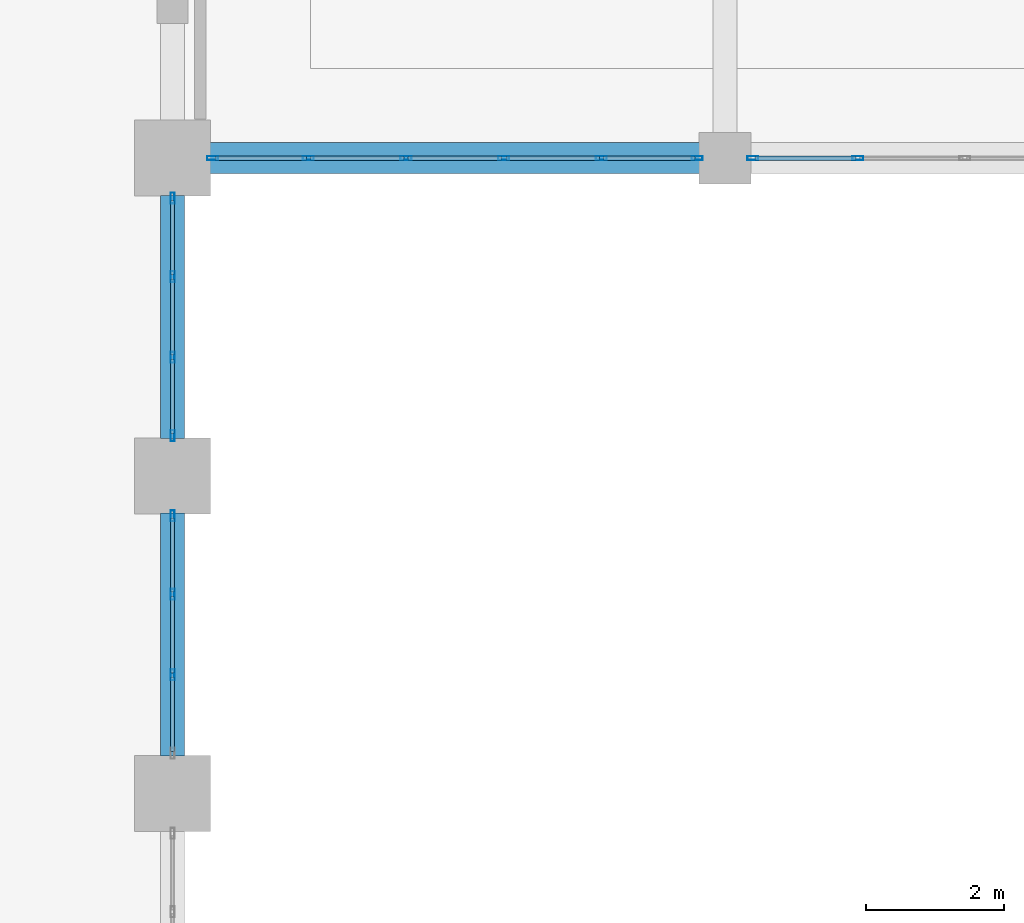
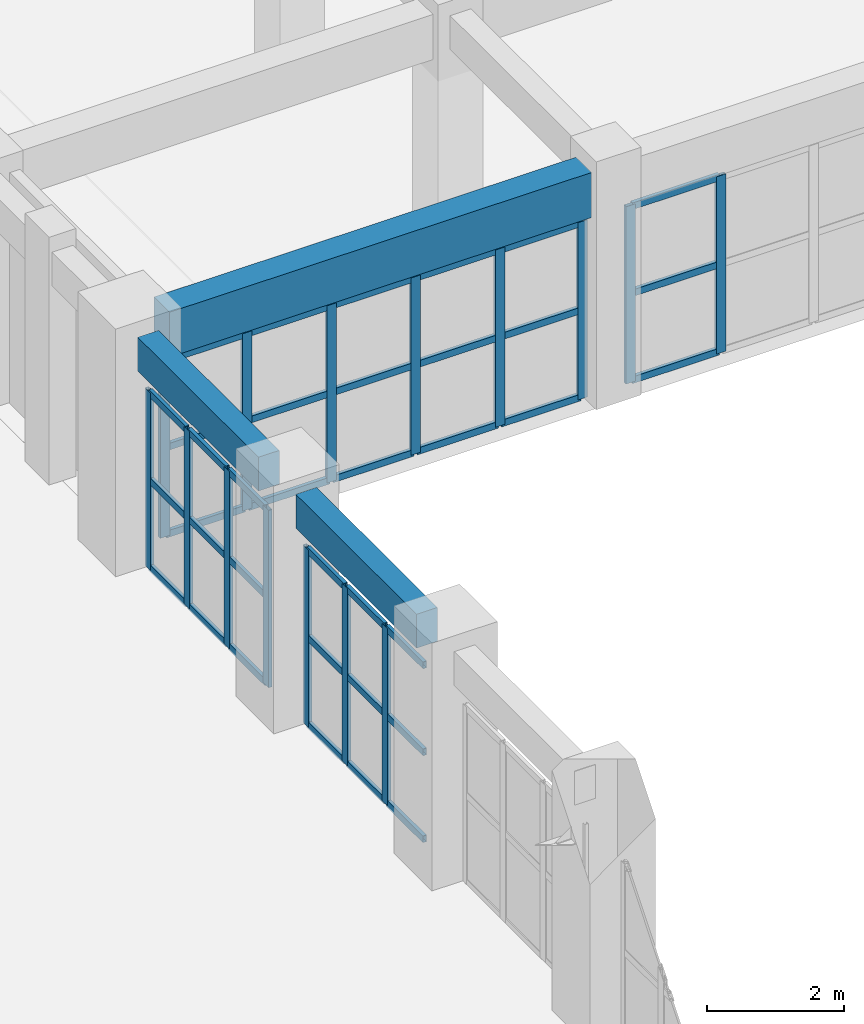
# One storey, part 41 of 90: 51 members, 3 beams, 4 elements without a shape of their own.
"""IFC4 building model written with IfcOpenShell, lengths in metres."""

from ifc_helpers import new_model, si_unit, direction, frame, origin, origin_2d, place, context, subcontext, project, spatial, rectangle, hollow_rectangle, extrude, material, layer, layer_set, material_profile, profile_set, type_object, element, aggregate, save


model = new_model("IFC4")

# Units and contexts
model_context = context("Model", 3, precision=1e-05, world=origin(), true_north=direction((0.0, 1.0)))
body_context = subcontext(model_context, "Body", "Model", "MODEL_VIEW")
ifc_project = project(units=[si_unit("LENGTHUNIT", "METRE"), si_unit("AREAUNIT", "SQUARE_METRE"), si_unit("VOLUMEUNIT", "CUBIC_METRE"), si_unit("PLANEANGLEUNIT", "RADIAN"), si_unit("MASSUNIT", "GRAM", prefix="KILO")], contexts=[model_context])

# Site, building, storey
site_placement = place(None, origin())
site = spatial("IfcSite", under=ifc_project, at=site_placement, CompositionType="ELEMENT")
building_placement = place(site_placement, origin())
building = spatial("IfcBuilding", under=site, at=building_placement, Name="Muzn Square Opera House", CompositionType="ELEMENT")
storey_placement = place(building_placement, frame((0.0, 0.0, 9.800048828125)))
storey = spatial("IfcBuildingStorey", under=building, at=storey_placement, Name="L02", CompositionType="ELEMENT", Elevation=9.800048828125)

# Curtain wall, members
ifc_material_1 = material(Name="Low-E laminated acoustic double glazing", Category="glass")
ifc_layer_1 = layer(ifc_material_1, 0.159912109375, Name="Low-E laminated acoustic double glazing", Category="glass")
ifc_layer_set_1 = layer_set([ifc_layer_1], Name="Low-E laminated acoustic double glazing")
curtain_wall_type_1 = type_object("IfcCurtainWallType", Name="Glazed Curtain Wall EastVaultCourt 3500x3150", PredefinedType="USERDEFINED", material=ifc_layer_set_1)
curtain_wall_1_placement = place(storey_placement, origin())
curtain_wall_1 = element("IfcCurtainWall", 1, at=curtain_wall_1_placement, inside=storey, type_object=curtain_wall_type_1, Name="Glazed Curtain Wall CW-L02-056", ObjectType="GLAZED CURTAIN WALL", PredefinedType="USERDEFINED")
ifc_material_2 = material(Name="Anodised bronze aluminium 6063-T6", Category="metal")
ifc_material_profile_1 = material_profile(ifc_material_2, hollow_rectangle(XDim=0.06005859375, YDim=0.159912109375, WallThickness=0.00390625, at=origin_2d()), Name="ALU 160x60x4", Category="metal")
ifc_profile_set_1 = profile_set([ifc_material_profile_1], Name="Anodised bronze aluminium 6063-T6")
member_type_1 = type_object("IfcMemberType", Name="Curtain Wall Mullion 160x60", PredefinedType="MULLION", material=ifc_profile_set_1)
member_1_placement = place(storey_placement, frame((133.0, 46.716552734375, 0.0), z_axis=(0.0, 0.0, 1.0), x_axis=(-1.0, 0.0, 0.0)))
member_1 = element("IfcMember", 2, at=member_1_placement, type_object=member_type_1, Name="CW-EVC-35x31 mullion 2", PredefinedType="MULLION", context=body_context, shape_type="SweptSolid", body=[
    extrude(hollow_rectangle(XDim=0.06005859375, YDim=0.159912109375, WallThickness=0.00390625, at=origin_2d()), origin(), (0.0, 0.0, 1.0), 3.14990234375),
])
member_2_placement = place(storey_placement, frame((133.0, 47.88330078125, 0.0), z_axis=(0.0, 0.0, 1.0), x_axis=(-1.0, 0.0, 0.0)))
member_2 = element("IfcMember", 3, at=member_2_placement, type_object=member_type_1, Name="CW-EVC-35x31 mullion 3", PredefinedType="MULLION", context=body_context, shape_type="SweptSolid", body=[
    extrude(hollow_rectangle(XDim=0.06005859375, YDim=0.159912109375, WallThickness=0.00390625, at=origin_2d()), origin(), (0.0, 0.0, 1.0), 3.14990234375),
])
member_3_placement = place(storey_placement, frame((133.0, 49.02001953125, 0.0), z_axis=(0.0, 0.0, 1.0), x_axis=(-1.0, 0.0, 0.0)))
member_3 = element("IfcMember", 4, at=member_3_placement, type_object=member_type_1, Name="CW-EVC-35x31 mullion 4", PredefinedType="MULLION", context=body_context, shape_type="SweptSolid", body=[
    extrude(hollow_rectangle(XDim=0.06005859375, YDim=0.159912109375, WallThickness=0.00390625, at=origin_2d()), origin(), (0.0, 0.0, 1.0), 3.14990234375),
])

curtain_wall_2_placement = place(storey_placement, origin())
curtain_wall_2 = element("IfcCurtainWall", 5, at=curtain_wall_2_placement, inside=storey, type_object=curtain_wall_type_1, Name="Glazed Curtain Wall CW-L02-058", ObjectType="GLAZED CURTAIN WALL", PredefinedType="USERDEFINED")
member_4_placement = place(storey_placement, frame((133.0, 50.179931640625, 0.0), z_axis=(0.0, 0.0, 1.0), x_axis=(-1.0, 0.0, 0.0)))
member_4 = element("IfcMember", 6, at=member_4_placement, type_object=member_type_1, Name="CW-EVC-35x31 mullion 1", PredefinedType="MULLION", context=body_context, shape_type="SweptSolid", body=[
    extrude(hollow_rectangle(XDim=0.06005859375, YDim=0.159912109375, WallThickness=0.00390625, at=origin_2d()), origin(), (0.0, 0.0, 1.0), 3.14990234375),
])
member_5_placement = place(storey_placement, frame((133.0, 51.316650390625, 0.0), z_axis=(0.0, 0.0, 1.0), x_axis=(-1.0, 0.0, 0.0)))
member_5 = element("IfcMember", 7, at=member_5_placement, type_object=member_type_1, Name="CW-EVC-35x31 mullion 2", PredefinedType="MULLION", context=body_context, shape_type="SweptSolid", body=[
    extrude(hollow_rectangle(XDim=0.06005859375, YDim=0.159912109375, WallThickness=0.00390625, at=origin_2d()), origin(), (0.0, 0.0, 1.0), 3.14990234375),
])
member_6_placement = place(storey_placement, frame((133.0, 52.4833984375, 0.0), z_axis=(0.0, 0.0, 1.0), x_axis=(-1.0, 0.0, 0.0)))
member_6 = element("IfcMember", 8, at=member_6_placement, type_object=member_type_1, Name="CW-EVC-35x31 mullion 3", PredefinedType="MULLION", context=body_context, shape_type="SweptSolid", body=[
    extrude(hollow_rectangle(XDim=0.06005859375, YDim=0.159912109375, WallThickness=0.00390625, at=origin_2d()), origin(), (0.0, 0.0, 1.0), 3.14990234375),
])
member_7_placement = place(storey_placement, frame((133.0, 53.6201171875, 0.0), z_axis=(0.0, 0.0, 1.0), x_axis=(-1.0, 0.0, 0.0)))
member_7 = element("IfcMember", 9, at=member_7_placement, type_object=member_type_1, Name="CW-EVC-35x31 mullion 4", PredefinedType="MULLION", context=body_context, shape_type="SweptSolid", body=[
    extrude(hollow_rectangle(XDim=0.06005859375, YDim=0.159912109375, WallThickness=0.00390625, at=origin_2d()), origin(), (0.0, 0.0, 1.0), 3.14990234375),
])

ifc_layer_2 = layer(ifc_material_1, 0.159912109375, Name="Low-E laminated acoustic double glazing", Category="glass")
ifc_layer_set_2 = layer_set([ifc_layer_2], Name="Low-E laminated acoustic double glazing")
curtain_wall_type_2 = type_object("IfcCurtainWallType", Name="Glazed Curtain Wall EastCloisterN 7075x3150", PredefinedType="USERDEFINED", material=ifc_layer_set_2)
curtain_wall_3_placement = place(storey_placement, origin())
curtain_wall_3 = element("IfcCurtainWall", 10, at=curtain_wall_3_placement, inside=storey, type_object=curtain_wall_type_2, Name="Glazed Curtain Wall CW-L02-100", ObjectType="GLAZED CURTAIN WALL", PredefinedType="USERDEFINED")
member_8_placement = place(storey_placement, frame((133.580078125, 54.199951171875, 0.0), z_axis=(0.0, 0.0, 1.0), x_axis=(0.0, 1.0, 0.0)))
member_8 = element("IfcMember", 11, at=member_8_placement, type_object=member_type_1, Name="CW-ECN-70x31 mullion 1", PredefinedType="MULLION", context=body_context, shape_type="SweptSolid", body=[
    extrude(hollow_rectangle(XDim=0.06005859375, YDim=0.159912109375, WallThickness=0.00390625, at=origin_2d()), origin(), (0.0, 0.0, 1.0), 3.14990234375),
])
member_9_placement = place(storey_placement, frame((134.965087890625, 54.199951171875, 0.0), z_axis=(0.0, 0.0, 1.0), x_axis=(0.0, 1.0, 0.0)))
member_9 = element("IfcMember", 12, at=member_9_placement, type_object=member_type_1, Name="CW-ECN-70x31 mullion 2", PredefinedType="MULLION", context=body_context, shape_type="SweptSolid", body=[
    extrude(hollow_rectangle(XDim=0.06005859375, YDim=0.159912109375, WallThickness=0.00390625, at=origin_2d()), origin(), (0.0, 0.0, 1.0), 3.14990234375),
])
member_10_placement = place(storey_placement, frame((136.3798828125, 54.199951171875, 0.0), z_axis=(0.0, 0.0, 1.0), x_axis=(0.0, 1.0, 0.0)))
member_10 = element("IfcMember", 13, at=member_10_placement, type_object=member_type_1, Name="CW-ECN-70x31 mullion 3", PredefinedType="MULLION", context=body_context, shape_type="SweptSolid", body=[
    extrude(hollow_rectangle(XDim=0.06005859375, YDim=0.159912109375, WallThickness=0.00390625, at=origin_2d()), origin(), (0.0, 0.0, 1.0), 3.14990234375),
])
member_11_placement = place(storey_placement, frame((137.794921875, 54.199951171875, 0.0), z_axis=(0.0, 0.0, 1.0), x_axis=(0.0, 1.0, 0.0)))
member_11 = element("IfcMember", 14, at=member_11_placement, type_object=member_type_1, Name="CW-ECN-70x31 mullion 4", PredefinedType="MULLION", context=body_context, shape_type="SweptSolid", body=[
    extrude(hollow_rectangle(XDim=0.06005859375, YDim=0.159912109375, WallThickness=0.00390625, at=origin_2d()), origin(), (0.0, 0.0, 1.0), 3.14990234375),
])
member_12_placement = place(storey_placement, frame((139.2099609375, 54.199951171875, 0.0), z_axis=(0.0, 0.0, 1.0), x_axis=(0.0, 1.0, 0.0)))
member_12 = element("IfcMember", 15, at=member_12_placement, type_object=member_type_1, Name="CW-ECN-70x31 mullion 5", PredefinedType="MULLION", context=body_context, shape_type="SweptSolid", body=[
    extrude(hollow_rectangle(XDim=0.06005859375, YDim=0.159912109375, WallThickness=0.00390625, at=origin_2d()), origin(), (0.0, 0.0, 1.0), 3.14990234375),
])
member_13_placement = place(storey_placement, frame((140.594970703125, 54.199951171875, 0.0), z_axis=(0.0, 0.0, 1.0), x_axis=(0.0, 1.0, 0.0)))
member_13 = element("IfcMember", 16, at=member_13_placement, type_object=member_type_1, Name="CW-ECN-70x31 mullion 6", PredefinedType="MULLION", context=body_context, shape_type="SweptSolid", body=[
    extrude(hollow_rectangle(XDim=0.06005859375, YDim=0.159912109375, WallThickness=0.00390625, at=origin_2d()), origin(), (0.0, 0.0, 1.0), 3.14990234375),
])

ifc_layer_3 = layer(ifc_material_1, 0.159912109375, Name="Low-E laminated acoustic double glazing", Category="glass")
ifc_layer_set_3 = layer_set([ifc_layer_3], Name="Low-E laminated acoustic double glazing")
curtain_wall_type_3 = type_object("IfcCurtainWallType", Name="Glazed Curtain Wall EastCloisterN 7750x3150", PredefinedType="USERDEFINED", material=ifc_layer_set_3)
curtain_wall_4_placement = place(storey_placement, origin())
curtain_wall_4 = element("IfcCurtainWall", 17, at=curtain_wall_4_placement, inside=storey, type_object=curtain_wall_type_3, Name="Glazed Curtain Wall CW-L02-102", ObjectType="GLAZED CURTAIN WALL", PredefinedType="USERDEFINED")
member_14_placement = place(storey_placement, frame((141.405029296875, 54.199951171875, 0.0), z_axis=(0.0, 0.0, 1.0), x_axis=(0.0, 1.0, 0.0)))
member_14 = element("IfcMember", 18, at=member_14_placement, type_object=member_type_1, Name="CW-ECN-77x31 mullion 1", PredefinedType="MULLION", context=body_context, shape_type="SweptSolid", body=[
    extrude(hollow_rectangle(XDim=0.06005859375, YDim=0.159912109375, WallThickness=0.00390625, at=origin_2d()), origin(), (0.0, 0.0, 1.0), 3.14990234375),
])
member_15_placement = place(storey_placement, frame((142.925048828125, 54.199951171875, 0.0), z_axis=(0.0, 0.0, 1.0), x_axis=(0.0, 1.0, 0.0)))
member_15 = element("IfcMember", 19, at=member_15_placement, type_object=member_type_1, Name="CW-ECN-77x31 mullion 2", PredefinedType="MULLION", context=body_context, shape_type="SweptSolid", body=[
    extrude(hollow_rectangle(XDim=0.06005859375, YDim=0.159912109375, WallThickness=0.00390625, at=origin_2d()), origin(), (0.0, 0.0, 1.0), 3.14990234375),
])

# Member
ifc_material_profile_2 = material_profile(ifc_material_2, hollow_rectangle(XDim=0.06005859375, YDim=0.1201171875, WallThickness=0.00390625, at=origin_2d()), Name="ALU 120x60x4", Category="metal")
ifc_profile_set_2 = profile_set([ifc_material_profile_2], Name="Anodised bronze aluminium 6063-T6")
member_type_2 = type_object("IfcMemberType", Name="Curtain Wall Transom 120x60", PredefinedType="USERDEFINED", material=ifc_profile_set_2)
member_16_placement = place(storey_placement, frame((133.0, 45.610107421875, 0.030029296875), z_axis=(0.0, 1.0, 0.0), x_axis=(-1.0, 0.0, 0.0)))
member_16 = element("IfcMember", 20, at=member_16_placement, type_object=member_type_2, Name="CW-EVC-35x31 transom 1.1", ObjectType="TRANSOM", PredefinedType="USERDEFINED", context=body_context, shape_type="SweptSolid", body=[
    extrude(hollow_rectangle(XDim=0.06005859375, YDim=0.1201171875, WallThickness=0.00390625, at=origin_2d()), origin(), (0.0, 0.0, 1.0), 1.07666015625),
])

member_17_placement = place(storey_placement, frame((133.0, 45.610107421875, 1.574951171875), z_axis=(0.0, 1.0, 0.0), x_axis=(-1.0, 0.0, 0.0)))
member_17 = element("IfcMember", 21, at=member_17_placement, type_object=member_type_2, Name="CW-EVC-35x31 transom 1.2", ObjectType="TRANSOM", PredefinedType="USERDEFINED", context=body_context, shape_type="SweptSolid", body=[
    extrude(hollow_rectangle(XDim=0.06005859375, YDim=0.1201171875, WallThickness=0.00390625, at=origin_2d()), origin(), (0.0, 0.0, 1.0), 1.07666015625),
])

member_18_placement = place(storey_placement, frame((133.0, 45.610107421875, 3.119873046875), z_axis=(0.0, 1.0, 0.0), x_axis=(-1.0, 0.0, 0.0)))
member_18 = element("IfcMember", 22, at=member_18_placement, type_object=member_type_2, Name="CW-EVC-35x31 transom 1.3", ObjectType="TRANSOM", PredefinedType="USERDEFINED", context=body_context, shape_type="SweptSolid", body=[
    extrude(hollow_rectangle(XDim=0.06005859375, YDim=0.1201171875, WallThickness=0.00390625, at=origin_2d()), origin(), (0.0, 0.0, 1.0), 1.07666015625),
])

member_19_placement = place(storey_placement, frame((133.0, 46.74658203125, 0.030029296875), z_axis=(0.0, 1.0, 0.0), x_axis=(-1.0, 0.0, 0.0)))
member_19 = element("IfcMember", 23, at=member_19_placement, type_object=member_type_2, Name="CW-EVC-35x31 transom 2.1", ObjectType="TRANSOM", PredefinedType="USERDEFINED", context=body_context, shape_type="SweptSolid", body=[
    extrude(hollow_rectangle(XDim=0.06005859375, YDim=0.1201171875, WallThickness=0.00390625, at=origin_2d()), origin(), (0.0, 0.0, 1.0), 1.106689453125),
])

member_20_placement = place(storey_placement, frame((133.0, 46.74658203125, 1.574951171875), z_axis=(0.0, 1.0, 0.0), x_axis=(-1.0, 0.0, 0.0)))
member_20 = element("IfcMember", 24, at=member_20_placement, type_object=member_type_2, Name="CW-EVC-35x31 transom 2.2", ObjectType="TRANSOM", PredefinedType="USERDEFINED", context=body_context, shape_type="SweptSolid", body=[
    extrude(hollow_rectangle(XDim=0.06005859375, YDim=0.1201171875, WallThickness=0.00390625, at=origin_2d()), origin(), (0.0, 0.0, 1.0), 1.106689453125),
])

member_21_placement = place(storey_placement, frame((133.0, 46.74658203125, 3.119873046875), z_axis=(0.0, 1.0, 0.0), x_axis=(-1.0, 0.0, 0.0)))
member_21 = element("IfcMember", 25, at=member_21_placement, type_object=member_type_2, Name="CW-EVC-35x31 transom 2.3", ObjectType="TRANSOM", PredefinedType="USERDEFINED", context=body_context, shape_type="SweptSolid", body=[
    extrude(hollow_rectangle(XDim=0.06005859375, YDim=0.1201171875, WallThickness=0.00390625, at=origin_2d()), origin(), (0.0, 0.0, 1.0), 1.106689453125),
])

member_22_placement = place(storey_placement, frame((133.0, 47.913330078125, 0.030029296875), z_axis=(0.0, 1.0, 0.0), x_axis=(-1.0, 0.0, 0.0)))
member_22 = element("IfcMember", 26, at=member_22_placement, type_object=member_type_2, Name="CW-EVC-35x31 transom 3.1", ObjectType="TRANSOM", PredefinedType="USERDEFINED", context=body_context, shape_type="SweptSolid", body=[
    extrude(hollow_rectangle(XDim=0.06005859375, YDim=0.1201171875, WallThickness=0.00390625, at=origin_2d()), origin(), (0.0, 0.0, 1.0), 1.07666015625),
])

member_23_placement = place(storey_placement, frame((133.0, 47.913330078125, 1.574951171875), z_axis=(0.0, 1.0, 0.0), x_axis=(-1.0, 0.0, 0.0)))
member_23 = element("IfcMember", 27, at=member_23_placement, type_object=member_type_2, Name="CW-EVC-35x31 transom 3.2", ObjectType="TRANSOM", PredefinedType="USERDEFINED", context=body_context, shape_type="SweptSolid", body=[
    extrude(hollow_rectangle(XDim=0.06005859375, YDim=0.1201171875, WallThickness=0.00390625, at=origin_2d()), origin(), (0.0, 0.0, 1.0), 1.07666015625),
])

member_24_placement = place(storey_placement, frame((133.0, 47.913330078125, 3.119873046875), z_axis=(0.0, 1.0, 0.0), x_axis=(-1.0, 0.0, 0.0)))
member_24 = element("IfcMember", 28, at=member_24_placement, type_object=member_type_2, Name="CW-EVC-35x31 transom 3.3", ObjectType="TRANSOM", PredefinedType="USERDEFINED", context=body_context, shape_type="SweptSolid", body=[
    extrude(hollow_rectangle(XDim=0.06005859375, YDim=0.1201171875, WallThickness=0.00390625, at=origin_2d()), origin(), (0.0, 0.0, 1.0), 1.07666015625),
])

aggregate(curtain_wall_1, [member_1, member_2, member_3, member_16, member_17, member_18, member_19, member_20, member_21, member_22, member_23, member_24])

member_25_placement = place(storey_placement, frame((133.0, 50.2099609375, 0.030029296875), z_axis=(0.0, 1.0, 0.0), x_axis=(-1.0, 0.0, 0.0)))
member_25 = element("IfcMember", 29, at=member_25_placement, type_object=member_type_2, Name="CW-EVC-35x31 transom 1.1", ObjectType="TRANSOM", PredefinedType="USERDEFINED", context=body_context, shape_type="SweptSolid", body=[
    extrude(hollow_rectangle(XDim=0.06005859375, YDim=0.1201171875, WallThickness=0.00390625, at=origin_2d()), origin(), (0.0, 0.0, 1.0), 1.07666015625),
])

member_26_placement = place(storey_placement, frame((133.0, 50.2099609375, 1.574951171875), z_axis=(0.0, 1.0, 0.0), x_axis=(-1.0, 0.0, 0.0)))
member_26 = element("IfcMember", 30, at=member_26_placement, type_object=member_type_2, Name="CW-EVC-35x31 transom 1.2", ObjectType="TRANSOM", PredefinedType="USERDEFINED", context=body_context, shape_type="SweptSolid", body=[
    extrude(hollow_rectangle(XDim=0.06005859375, YDim=0.1201171875, WallThickness=0.00390625, at=origin_2d()), origin(), (0.0, 0.0, 1.0), 1.07666015625),
])

member_27_placement = place(storey_placement, frame((133.0, 50.2099609375, 3.119873046875), z_axis=(0.0, 1.0, 0.0), x_axis=(-1.0, 0.0, 0.0)))
member_27 = element("IfcMember", 31, at=member_27_placement, type_object=member_type_2, Name="CW-EVC-35x31 transom 1.3", ObjectType="TRANSOM", PredefinedType="USERDEFINED", context=body_context, shape_type="SweptSolid", body=[
    extrude(hollow_rectangle(XDim=0.06005859375, YDim=0.1201171875, WallThickness=0.00390625, at=origin_2d()), origin(), (0.0, 0.0, 1.0), 1.07666015625),
])

member_28_placement = place(storey_placement, frame((133.0, 51.3466796875, 0.030029296875), z_axis=(0.0, 1.0, 0.0), x_axis=(-1.0, 0.0, 0.0)))
member_28 = element("IfcMember", 32, at=member_28_placement, type_object=member_type_2, Name="CW-EVC-35x31 transom 2.1", ObjectType="TRANSOM", PredefinedType="USERDEFINED", context=body_context, shape_type="SweptSolid", body=[
    extrude(hollow_rectangle(XDim=0.06005859375, YDim=0.1201171875, WallThickness=0.00390625, at=origin_2d()), origin(), (0.0, 0.0, 1.0), 1.106689453125),
])

member_29_placement = place(storey_placement, frame((133.0, 51.3466796875, 1.574951171875), z_axis=(0.0, 1.0, 0.0), x_axis=(-1.0, 0.0, 0.0)))
member_29 = element("IfcMember", 33, at=member_29_placement, type_object=member_type_2, Name="CW-EVC-35x31 transom 2.2", ObjectType="TRANSOM", PredefinedType="USERDEFINED", context=body_context, shape_type="SweptSolid", body=[
    extrude(hollow_rectangle(XDim=0.06005859375, YDim=0.1201171875, WallThickness=0.00390625, at=origin_2d()), origin(), (0.0, 0.0, 1.0), 1.106689453125),
])

member_30_placement = place(storey_placement, frame((133.0, 51.3466796875, 3.119873046875), z_axis=(0.0, 1.0, 0.0), x_axis=(-1.0, 0.0, 0.0)))
member_30 = element("IfcMember", 34, at=member_30_placement, type_object=member_type_2, Name="CW-EVC-35x31 transom 2.3", ObjectType="TRANSOM", PredefinedType="USERDEFINED", context=body_context, shape_type="SweptSolid", body=[
    extrude(hollow_rectangle(XDim=0.06005859375, YDim=0.1201171875, WallThickness=0.00390625, at=origin_2d()), origin(), (0.0, 0.0, 1.0), 1.106689453125),
])

member_31_placement = place(storey_placement, frame((133.0, 52.513427734375, 0.030029296875), z_axis=(0.0, 1.0, 0.0), x_axis=(-1.0, 0.0, 0.0)))
member_31 = element("IfcMember", 35, at=member_31_placement, type_object=member_type_2, Name="CW-EVC-35x31 transom 3.1", ObjectType="TRANSOM", PredefinedType="USERDEFINED", context=body_context, shape_type="SweptSolid", body=[
    extrude(hollow_rectangle(XDim=0.06005859375, YDim=0.1201171875, WallThickness=0.00390625, at=origin_2d()), origin(), (0.0, 0.0, 1.0), 1.07666015625),
])

member_32_placement = place(storey_placement, frame((133.0, 52.513427734375, 1.574951171875), z_axis=(0.0, 1.0, 0.0), x_axis=(-1.0, 0.0, 0.0)))
member_32 = element("IfcMember", 36, at=member_32_placement, type_object=member_type_2, Name="CW-EVC-35x31 transom 3.2", ObjectType="TRANSOM", PredefinedType="USERDEFINED", context=body_context, shape_type="SweptSolid", body=[
    extrude(hollow_rectangle(XDim=0.06005859375, YDim=0.1201171875, WallThickness=0.00390625, at=origin_2d()), origin(), (0.0, 0.0, 1.0), 1.07666015625),
])

member_33_placement = place(storey_placement, frame((133.0, 52.513427734375, 3.119873046875), z_axis=(0.0, 1.0, 0.0), x_axis=(-1.0, 0.0, 0.0)))
member_33 = element("IfcMember", 37, at=member_33_placement, type_object=member_type_2, Name="CW-EVC-35x31 transom 3.3", ObjectType="TRANSOM", PredefinedType="USERDEFINED", context=body_context, shape_type="SweptSolid", body=[
    extrude(hollow_rectangle(XDim=0.06005859375, YDim=0.1201171875, WallThickness=0.00390625, at=origin_2d()), origin(), (0.0, 0.0, 1.0), 1.07666015625),
])

aggregate(curtain_wall_2, [member_4, member_5, member_6, member_7, member_25, member_26, member_27, member_28, member_29, member_30, member_31, member_32, member_33])

member_34_placement = place(storey_placement, frame((133.610107421875, 54.199951171875, 0.030029296875), z_axis=(1.0, 0.0, 0.0), x_axis=(0.0, 1.0, 0.0)))
member_34 = element("IfcMember", 38, at=member_34_placement, type_object=member_type_2, Name="CW-ECN-70x31 transom 1.1", ObjectType="TRANSOM", PredefinedType="USERDEFINED", context=body_context, shape_type="SweptSolid", body=[
    extrude(hollow_rectangle(XDim=0.06005859375, YDim=0.1201171875, WallThickness=0.00390625, at=origin_2d()), origin(), (0.0, 0.0, 1.0), 1.324951171875),
])

member_35_placement = place(storey_placement, frame((133.610107421875, 54.199951171875, 1.574951171875), z_axis=(1.0, 0.0, 0.0), x_axis=(0.0, 1.0, 0.0)))
member_35 = element("IfcMember", 39, at=member_35_placement, type_object=member_type_2, Name="CW-ECN-70x31 transom 1.2", ObjectType="TRANSOM", PredefinedType="USERDEFINED", context=body_context, shape_type="SweptSolid", body=[
    extrude(hollow_rectangle(XDim=0.06005859375, YDim=0.1201171875, WallThickness=0.00390625, at=origin_2d()), origin(), (0.0, 0.0, 1.0), 1.324951171875),
])

member_36_placement = place(storey_placement, frame((133.610107421875, 54.199951171875, 3.119873046875), z_axis=(1.0, 0.0, 0.0), x_axis=(0.0, 1.0, 0.0)))
member_36 = element("IfcMember", 40, at=member_36_placement, type_object=member_type_2, Name="CW-ECN-70x31 transom 1.3", ObjectType="TRANSOM", PredefinedType="USERDEFINED", context=body_context, shape_type="SweptSolid", body=[
    extrude(hollow_rectangle(XDim=0.06005859375, YDim=0.1201171875, WallThickness=0.00390625, at=origin_2d()), origin(), (0.0, 0.0, 1.0), 1.324951171875),
])

member_37_placement = place(storey_placement, frame((134.9951171875, 54.199951171875, 0.030029296875), z_axis=(1.0, 0.0, 0.0), x_axis=(0.0, 1.0, 0.0)))
member_37 = element("IfcMember", 41, at=member_37_placement, type_object=member_type_2, Name="CW-ECN-70x31 transom 2.1", ObjectType="TRANSOM", PredefinedType="USERDEFINED", context=body_context, shape_type="SweptSolid", body=[
    extrude(hollow_rectangle(XDim=0.06005859375, YDim=0.1201171875, WallThickness=0.00390625, at=origin_2d()), origin(), (0.0, 0.0, 1.0), 1.35498046875),
])

member_38_placement = place(storey_placement, frame((134.9951171875, 54.199951171875, 1.574951171875), z_axis=(1.0, 0.0, 0.0), x_axis=(0.0, 1.0, 0.0)))
member_38 = element("IfcMember", 42, at=member_38_placement, type_object=member_type_2, Name="CW-ECN-70x31 transom 2.2", ObjectType="TRANSOM", PredefinedType="USERDEFINED", context=body_context, shape_type="SweptSolid", body=[
    extrude(hollow_rectangle(XDim=0.06005859375, YDim=0.1201171875, WallThickness=0.00390625, at=origin_2d()), origin(), (0.0, 0.0, 1.0), 1.35498046875),
])

member_39_placement = place(storey_placement, frame((134.9951171875, 54.199951171875, 3.119873046875), z_axis=(1.0, 0.0, 0.0), x_axis=(0.0, 1.0, 0.0)))
member_39 = element("IfcMember", 43, at=member_39_placement, type_object=member_type_2, Name="CW-ECN-70x31 transom 2.3", ObjectType="TRANSOM", PredefinedType="USERDEFINED", context=body_context, shape_type="SweptSolid", body=[
    extrude(hollow_rectangle(XDim=0.06005859375, YDim=0.1201171875, WallThickness=0.00390625, at=origin_2d()), origin(), (0.0, 0.0, 1.0), 1.35498046875),
])

member_40_placement = place(storey_placement, frame((136.409912109375, 54.199951171875, 0.030029296875), z_axis=(1.0, 0.0, 0.0), x_axis=(0.0, 1.0, 0.0)))
member_40 = element("IfcMember", 44, at=member_40_placement, type_object=member_type_2, Name="CW-ECN-70x31 transom 3.1", ObjectType="TRANSOM", PredefinedType="USERDEFINED", context=body_context, shape_type="SweptSolid", body=[
    extrude(hollow_rectangle(XDim=0.06005859375, YDim=0.1201171875, WallThickness=0.00390625, at=origin_2d()), origin(), (0.0, 0.0, 1.0), 1.35498046875),
])

member_41_placement = place(storey_placement, frame((136.409912109375, 54.199951171875, 1.574951171875), z_axis=(1.0, 0.0, 0.0), x_axis=(0.0, 1.0, 0.0)))
member_41 = element("IfcMember", 45, at=member_41_placement, type_object=member_type_2, Name="CW-ECN-70x31 transom 3.2", ObjectType="TRANSOM", PredefinedType="USERDEFINED", context=body_context, shape_type="SweptSolid", body=[
    extrude(hollow_rectangle(XDim=0.06005859375, YDim=0.1201171875, WallThickness=0.00390625, at=origin_2d()), origin(), (0.0, 0.0, 1.0), 1.35498046875),
])

member_42_placement = place(storey_placement, frame((136.409912109375, 54.199951171875, 3.119873046875), z_axis=(1.0, 0.0, 0.0), x_axis=(0.0, 1.0, 0.0)))
member_42 = element("IfcMember", 46, at=member_42_placement, type_object=member_type_2, Name="CW-ECN-70x31 transom 3.3", ObjectType="TRANSOM", PredefinedType="USERDEFINED", context=body_context, shape_type="SweptSolid", body=[
    extrude(hollow_rectangle(XDim=0.06005859375, YDim=0.1201171875, WallThickness=0.00390625, at=origin_2d()), origin(), (0.0, 0.0, 1.0), 1.35498046875),
])

member_43_placement = place(storey_placement, frame((137.824951171875, 54.199951171875, 0.030029296875), z_axis=(1.0, 0.0, 0.0), x_axis=(0.0, 1.0, 0.0)))
member_43 = element("IfcMember", 47, at=member_43_placement, type_object=member_type_2, Name="CW-ECN-70x31 transom 4.1", ObjectType="TRANSOM", PredefinedType="USERDEFINED", context=body_context, shape_type="SweptSolid", body=[
    extrude(hollow_rectangle(XDim=0.06005859375, YDim=0.1201171875, WallThickness=0.00390625, at=origin_2d()), origin(), (0.0, 0.0, 1.0), 1.35498046875),
])

member_44_placement = place(storey_placement, frame((137.824951171875, 54.199951171875, 1.574951171875), z_axis=(1.0, 0.0, 0.0), x_axis=(0.0, 1.0, 0.0)))
member_44 = element("IfcMember", 48, at=member_44_placement, type_object=member_type_2, Name="CW-ECN-70x31 transom 4.2", ObjectType="TRANSOM", PredefinedType="USERDEFINED", context=body_context, shape_type="SweptSolid", body=[
    extrude(hollow_rectangle(XDim=0.06005859375, YDim=0.1201171875, WallThickness=0.00390625, at=origin_2d()), origin(), (0.0, 0.0, 1.0), 1.35498046875),
])

member_45_placement = place(storey_placement, frame((137.824951171875, 54.199951171875, 3.119873046875), z_axis=(1.0, 0.0, 0.0), x_axis=(0.0, 1.0, 0.0)))
member_45 = element("IfcMember", 49, at=member_45_placement, type_object=member_type_2, Name="CW-ECN-70x31 transom 4.3", ObjectType="TRANSOM", PredefinedType="USERDEFINED", context=body_context, shape_type="SweptSolid", body=[
    extrude(hollow_rectangle(XDim=0.06005859375, YDim=0.1201171875, WallThickness=0.00390625, at=origin_2d()), origin(), (0.0, 0.0, 1.0), 1.35498046875),
])

member_46_placement = place(storey_placement, frame((139.239990234375, 54.199951171875, 0.030029296875), z_axis=(1.0, 0.0, 0.0), x_axis=(0.0, 1.0, 0.0)))
member_46 = element("IfcMember", 50, at=member_46_placement, type_object=member_type_2, Name="CW-ECN-70x31 transom 5.1", ObjectType="TRANSOM", PredefinedType="USERDEFINED", context=body_context, shape_type="SweptSolid", body=[
    extrude(hollow_rectangle(XDim=0.06005859375, YDim=0.1201171875, WallThickness=0.00390625, at=origin_2d()), origin(), (0.0, 0.0, 1.0), 1.324951171875),
])

member_47_placement = place(storey_placement, frame((139.239990234375, 54.199951171875, 1.574951171875), z_axis=(1.0, 0.0, 0.0), x_axis=(0.0, 1.0, 0.0)))
member_47 = element("IfcMember", 51, at=member_47_placement, type_object=member_type_2, Name="CW-ECN-70x31 transom 5.2", ObjectType="TRANSOM", PredefinedType="USERDEFINED", context=body_context, shape_type="SweptSolid", body=[
    extrude(hollow_rectangle(XDim=0.06005859375, YDim=0.1201171875, WallThickness=0.00390625, at=origin_2d()), origin(), (0.0, 0.0, 1.0), 1.324951171875),
])

member_48_placement = place(storey_placement, frame((139.239990234375, 54.199951171875, 3.119873046875), z_axis=(1.0, 0.0, 0.0), x_axis=(0.0, 1.0, 0.0)))
member_48 = element("IfcMember", 52, at=member_48_placement, type_object=member_type_2, Name="CW-ECN-70x31 transom 5.3", ObjectType="TRANSOM", PredefinedType="USERDEFINED", context=body_context, shape_type="SweptSolid", body=[
    extrude(hollow_rectangle(XDim=0.06005859375, YDim=0.1201171875, WallThickness=0.00390625, at=origin_2d()), origin(), (0.0, 0.0, 1.0), 1.324951171875),
])

aggregate(curtain_wall_3, [member_8, member_9, member_10, member_11, member_12, member_13, member_34, member_35, member_36, member_37, member_38, member_39, member_40, member_41, member_42, member_43, member_44, member_45, member_46, member_47, member_48])

member_49_placement = place(storey_placement, frame((141.43505859375, 54.199951171875, 0.030029296875), z_axis=(1.0, 0.0, 0.0), x_axis=(0.0, 1.0, 0.0)))
member_49 = element("IfcMember", 53, at=member_49_placement, type_object=member_type_2, Name="CW-ECN-77x31 transom 1.1", ObjectType="TRANSOM", PredefinedType="USERDEFINED", context=body_context, shape_type="SweptSolid", body=[
    extrude(hollow_rectangle(XDim=0.06005859375, YDim=0.1201171875, WallThickness=0.00390625, at=origin_2d()), origin(), (0.0, 0.0, 1.0), 1.4599609375),
])

member_50_placement = place(storey_placement, frame((141.43505859375, 54.199951171875, 1.574951171875), z_axis=(1.0, 0.0, 0.0), x_axis=(0.0, 1.0, 0.0)))
member_50 = element("IfcMember", 54, at=member_50_placement, type_object=member_type_2, Name="CW-ECN-77x31 transom 1.2", ObjectType="TRANSOM", PredefinedType="USERDEFINED", context=body_context, shape_type="SweptSolid", body=[
    extrude(hollow_rectangle(XDim=0.06005859375, YDim=0.1201171875, WallThickness=0.00390625, at=origin_2d()), origin(), (0.0, 0.0, 1.0), 1.4599609375),
])

member_51_placement = place(storey_placement, frame((141.43505859375, 54.199951171875, 3.119873046875), z_axis=(1.0, 0.0, 0.0), x_axis=(0.0, 1.0, 0.0)))
member_51 = element("IfcMember", 55, at=member_51_placement, type_object=member_type_2, Name="CW-ECN-77x31 transom 1.3", ObjectType="TRANSOM", PredefinedType="USERDEFINED", context=body_context, shape_type="SweptSolid", body=[
    extrude(hollow_rectangle(XDim=0.06005859375, YDim=0.1201171875, WallThickness=0.00390625, at=origin_2d()), origin(), (0.0, 0.0, 1.0), 1.4599609375),
])

aggregate(curtain_wall_4, [member_14, member_15, member_49, member_50, member_51])

# Beams
ifc_material_3 = material(Name="Concrete C40/50", Category="concrete")
ifc_material_profile_3 = material_profile(ifc_material_3, rectangle(XDim=0.35009765625, YDim=0.60009765625, at=origin_2d()), Name="RCB 350x600", Category="concrete")
ifc_profile_set_3 = profile_set([ifc_material_profile_3], Name="Concrete C40/50")
beam_type_1 = type_object("IfcBeamType", Name="Primary Girder 350x600", PredefinedType="BEAM", material=ifc_profile_set_3)
beam_1_placement = place(storey_placement, frame((133.0, 45.5419921875, 3.820068359375), z_axis=(0.0, 1.0, 0.0), x_axis=(-1.0, 0.0, 0.0)))
element("IfcBeam", 56, at=beam_1_placement, inside=storey, type_object=beam_type_1, Name="Primary Girder BM-L02-BM-PG600-1330_455_1330_491-2251", PredefinedType="BEAM", context=body_context, shape_type="SweptSolid", body=[
    extrude(rectangle(XDim=0.35009765625, YDim=0.60009765625, at=origin_2d()), origin(), (0.0, 0.0, 1.0), 3.51611328125),
])
beam_2_placement = place(storey_placement, frame((133.0, 50.14208984375, 3.820068359375), z_axis=(0.0, 1.0, 0.0), x_axis=(-1.0, 0.0, 0.0)))
element("IfcBeam", 57, at=beam_2_placement, inside=storey, type_object=beam_type_1, Name="Primary Girder BM-L02-BM-PG600-1330_501_1330_537-2252", PredefinedType="BEAM", context=body_context, shape_type="SweptSolid", body=[
    extrude(rectangle(XDim=0.35009765625, YDim=0.60009765625, at=origin_2d()), origin(), (0.0, 0.0, 1.0), 3.515869140625),
])
ifc_material_profile_4 = material_profile(ifc_material_3, rectangle(XDim=0.449951171875, YDim=0.800048828125, at=origin_2d()), Name="RCB 450x800", Category="concrete")
ifc_profile_set_4 = profile_set([ifc_material_profile_4], Name="Concrete C40/50")
beam_type_2 = type_object("IfcBeamType", Name="Primary Girder 450x800", PredefinedType="BEAM", material=ifc_profile_set_4)
beam_3_placement = place(storey_placement, frame((133.5419921875, 54.199951171875, 3.719970703125), z_axis=(1.0, 0.0, 0.0), x_axis=(0.0, 1.0, 0.0)))
element("IfcBeam", 58, at=beam_3_placement, inside=storey, type_object=beam_type_2, Name="Primary Girder BM-L02-BM-PG800-1335_542_1406_542-2012", PredefinedType="BEAM", context=body_context, shape_type="SweptSolid", body=[
    extrude(rectangle(XDim=0.449951171875, YDim=0.800048828125, at=origin_2d()), origin(), (0.0, 0.0, 1.0), 7.091064453125),
])

save(model, "model.ifc")
